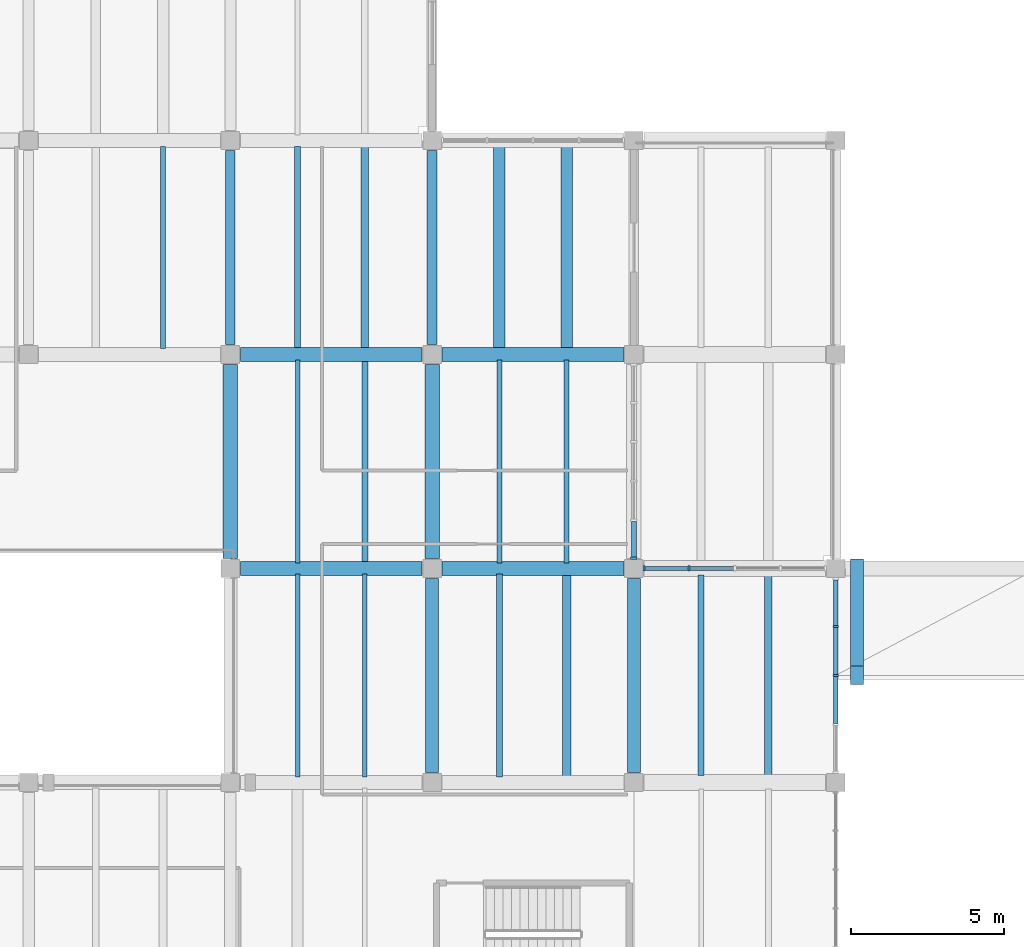
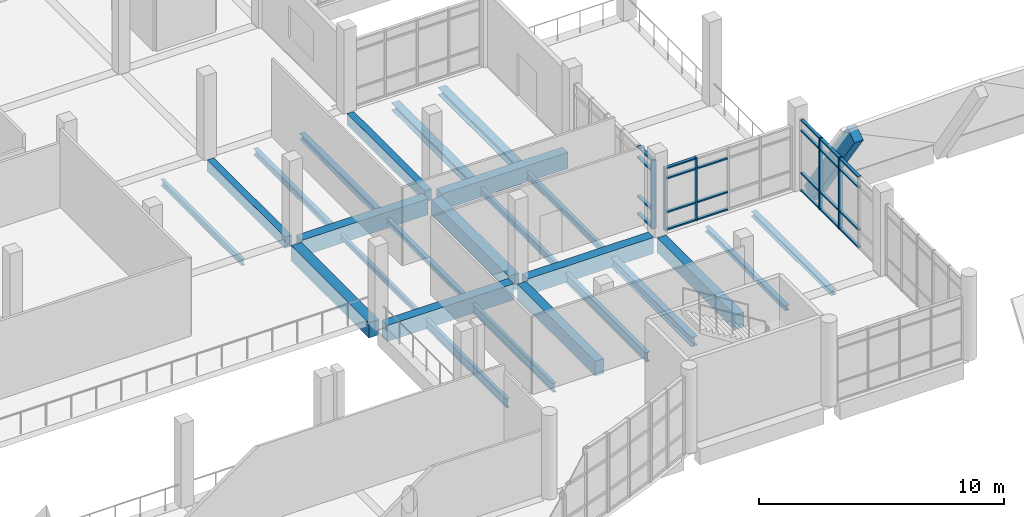
# One storey, part 15 of 67: 28 members, 26 beams, 3 elements without a shape of their own.
"""IFC4 building model written with IfcOpenShell, lengths in metres."""

from ifc_helpers import new_model, si_unit, direction, frame, origin, origin_2d, place, context, subcontext, project, spatial, rectangle, i_section, extrude, material, material_profile, profile_set, type_object, element, aggregate, save


model = new_model("IFC4")

# Units and contexts
model_context = context("Model", 3, precision=1e-05, world=origin(), true_north=direction((0.0, 1.0)))
body_context = subcontext(model_context, "Body", "Model", "MODEL_VIEW")
ifc_project = project(units=[si_unit("LENGTHUNIT", "METRE"), si_unit("AREAUNIT", "SQUARE_METRE"), si_unit("VOLUMEUNIT", "CUBIC_METRE"), si_unit("PLANEANGLEUNIT", "RADIAN"), si_unit("MASSUNIT", "GRAM", prefix="KILO")], contexts=[model_context])

# Site, building, storey
site_placement = place(None, origin())
site = spatial("IfcSite", under=ifc_project, at=site_placement, CompositionType="ELEMENT")
building_placement = place(site_placement, origin())
building = spatial("IfcBuilding", under=site, at=building_placement, Name="Ciguamira Faculty of Natural Sciences", CompositionType="ELEMENT")
storey_placement = place(building_placement, frame((0.0, 0.0, 8.39990234375)))
storey = spatial("IfcBuildingStorey", under=building, at=storey_placement, Name="L02", CompositionType="ELEMENT", Elevation=8.39990234375)

# Curtain wall, members
ifc_material_1 = material(Name="Anodized aluminium curtain wall", Category="aluminium")
curtain_wall_type_1 = type_object("IfcCurtainWallType", Name="CurtainWall_CW-11", PredefinedType="USERDEFINED", material=ifc_material_1)
curtain_wall_1_placement = place(storey_placement, origin())
curtain_wall_1 = element("IfcCurtainWall", 1, at=curtain_wall_1_placement, inside=storey, type_object=curtain_wall_type_1, Name="L02 unitised curtain wall 0059", ObjectType="UNITISED CURTAIN WALL", PredefinedType="USERDEFINED")
ifc_material_2 = material(Name="Anodized aluminium mullion", Category="aluminium")
ifc_material_profile_1 = material_profile(ifc_material_2, rectangle(XDim=0.070068359375, YDim=0.179931640625, at=origin_2d()), Name="ALU-MUL-70X180")
ifc_profile_set_1 = profile_set([ifc_material_profile_1], Name="Anodized aluminium mullion")
member_type_1 = type_object("IfcMemberType", Name="CWMullion_CWM-02", PredefinedType="MULLION", material=ifc_profile_set_1)
member_1_placement = place(storey_placement, frame((117.034912109375, 24.0, 0.0), z_axis=(0.0, 0.0, 1.0), x_axis=(1.0, 0.0, 0.0)))
member_1 = element("IfcMember", 2, at=member_1_placement, type_object=member_type_1, Name="CW-11 mullion 1", PredefinedType="MULLION", context=body_context, shape_type="SweptSolid", body=[
    extrude(rectangle(XDim=0.070068359375, YDim=0.179931640625, at=origin_2d()), origin(), (0.0, 0.0, 1.0), 3.135009765625),
])
member_2_placement = place(storey_placement, frame((118.5, 24.0, 0.0), z_axis=(0.0, 0.0, 1.0), x_axis=(1.0, 0.0, 0.0)))
member_2 = element("IfcMember", 3, at=member_2_placement, type_object=member_type_1, Name="CW-11 mullion 2", PredefinedType="MULLION", context=body_context, shape_type="SweptSolid", body=[
    extrude(rectangle(XDim=0.070068359375, YDim=0.179931640625, at=origin_2d()), origin(), (0.0, 0.0, 1.0), 3.135009765625),
])

curtain_wall_type_2 = type_object("IfcCurtainWallType", Name="CurtainWall_CW-08", PredefinedType="USERDEFINED", material=ifc_material_1)
curtain_wall_2_placement = place(storey_placement, origin())
curtain_wall_2 = element("IfcCurtainWall", 4, at=curtain_wall_2_placement, inside=storey, type_object=curtain_wall_type_2, Name="L02 unitised curtain wall 0080", ObjectType="UNITISED CURTAIN WALL", PredefinedType="USERDEFINED")
member_3_placement = place(storey_placement, frame((123.300048828125, 20.5, 0.0), z_axis=(0.0, 0.0, 1.0), x_axis=(0.0, 1.0, 0.0)))
member_3 = element("IfcMember", 5, at=member_3_placement, type_object=member_type_1, Name="CW-08 mullion 3", PredefinedType="MULLION", context=body_context, shape_type="SweptSolid", body=[
    extrude(rectangle(XDim=0.070068359375, YDim=0.179931640625, at=origin_2d()), origin(), (0.0, 0.0, 1.0), 3.565185546875),
])
member_4_placement = place(storey_placement, frame((123.300048828125, 22.10009765625, 0.0), z_axis=(0.0, 0.0, 1.0), x_axis=(0.0, 1.0, 0.0)))
member_4 = element("IfcMember", 6, at=member_4_placement, type_object=member_type_1, Name="CW-08 mullion 4", PredefinedType="MULLION", context=body_context, shape_type="SweptSolid", body=[
    extrude(rectangle(XDim=0.070068359375, YDim=0.179931640625, at=origin_2d()), origin(), (0.0, 0.0, 1.0), 3.565185546875),
])

# Curtain wall, member
curtain_wall_type_3 = type_object("IfcCurtainWallType", Name="CurtainWall_CW-06", PredefinedType="USERDEFINED", material=ifc_material_1)
curtain_wall_3_placement = place(storey_placement, origin())
curtain_wall_3 = element("IfcCurtainWall", 7, at=curtain_wall_3_placement, inside=storey, type_object=curtain_wall_type_3, Name="L02 unitised curtain wall 0078", ObjectType="UNITISED CURTAIN WALL", PredefinedType="USERDEFINED")
ifc_material_profile_2 = material_profile(ifc_material_2, rectangle(XDim=0.080078125, YDim=0.219970703125, at=origin_2d()), Name="ALU-MUL-80X220")
ifc_profile_set_2 = profile_set([ifc_material_profile_2], Name="Anodized aluminium mullion")
member_type_2 = type_object("IfcMemberType", Name="CWMullion_CWM-03", PredefinedType="MULLION", material=ifc_profile_set_2)
member_5_placement = place(storey_placement, frame((116.699951171875, 24.340087890625, 0.0), z_axis=(0.0, 0.0, 1.0), x_axis=(0.0, 1.0, 0.0)))
member_5 = element("IfcMember", 8, at=member_5_placement, type_object=member_type_2, Name="CW-06 mullion 1", PredefinedType="MULLION", context=body_context, shape_type="SweptSolid", body=[
    extrude(rectangle(XDim=0.080078125, YDim=0.219970703125, at=origin_2d()), origin(), (0.0, 0.0, 1.0), 3.405029296875),
])

# Member
ifc_material_3 = material(Name="Anodized aluminium transom", Category="aluminium")
ifc_material_profile_3 = material_profile(ifc_material_3, rectangle(XDim=0.070068359375, YDim=0.139892578125, at=origin_2d()), Name="ALU-TRN-70X140")
ifc_profile_set_3 = profile_set([ifc_material_profile_3], Name="Anodized aluminium transom")
member_type_3 = type_object("IfcMemberType", Name="CWTransom_CWT-02", PredefinedType="USERDEFINED", material=ifc_profile_set_3)
member_6_placement = place(storey_placement, frame((117.070068359375, 24.0, 0.03515625), z_axis=(1.0, 0.0, 0.0), x_axis=(0.0, 0.0, 1.0)))
member_6 = element("IfcMember", 9, at=member_6_placement, type_object=member_type_3, Name="CW-11 transom 1.1", ObjectType="TRANSOM", PredefinedType="USERDEFINED", context=body_context, shape_type="SweptSolid", body=[
    extrude(rectangle(XDim=0.070068359375, YDim=0.139892578125, at=origin_2d()), origin(), (0.0, 0.0, 1.0), 1.39501953125),
])

member_7_placement = place(storey_placement, frame((117.070068359375, 24.0, 0.900146484375), z_axis=(1.0, 0.0, 0.0), x_axis=(0.0, 0.0, 1.0)))
member_7 = element("IfcMember", 10, at=member_7_placement, type_object=member_type_3, Name="CW-11 transom 1.2", ObjectType="TRANSOM", PredefinedType="USERDEFINED", context=body_context, shape_type="SweptSolid", body=[
    extrude(rectangle(XDim=0.070068359375, YDim=0.139892578125, at=origin_2d()), origin(), (0.0, 0.0, 1.0), 1.39501953125),
])

member_8_placement = place(storey_placement, frame((117.070068359375, 24.0, 2.585205078125), z_axis=(1.0, 0.0, 0.0), x_axis=(0.0, 0.0, 1.0)))
member_8 = element("IfcMember", 11, at=member_8_placement, type_object=member_type_3, Name="CW-11 transom 1.3", ObjectType="TRANSOM", PredefinedType="USERDEFINED", context=body_context, shape_type="SweptSolid", body=[
    extrude(rectangle(XDim=0.070068359375, YDim=0.139892578125, at=origin_2d()), origin(), (0.0, 0.0, 1.0), 1.39501953125),
])

member_9_placement = place(storey_placement, frame((117.070068359375, 24.0, 3.10009765625), z_axis=(1.0, 0.0, 0.0), x_axis=(0.0, 0.0, 1.0)))
member_9 = element("IfcMember", 12, at=member_9_placement, type_object=member_type_3, Name="CW-11 transom 1.4", ObjectType="TRANSOM", PredefinedType="USERDEFINED", context=body_context, shape_type="SweptSolid", body=[
    extrude(rectangle(XDim=0.070068359375, YDim=0.139892578125, at=origin_2d()), origin(), (0.0, 0.0, 1.0), 1.39501953125),
])

member_10_placement = place(storey_placement, frame((118.534912109375, 24.0, 0.03515625), z_axis=(1.0, 0.0, 0.0), x_axis=(0.0, 0.0, 1.0)))
member_10 = element("IfcMember", 13, at=member_10_placement, type_object=member_type_3, Name="CW-11 transom 2.1", ObjectType="TRANSOM", PredefinedType="USERDEFINED", context=body_context, shape_type="SweptSolid", body=[
    extrude(rectangle(XDim=0.070068359375, YDim=0.139892578125, at=origin_2d()), origin(), (0.0, 0.0, 1.0), 1.43017578125),
])

member_11_placement = place(storey_placement, frame((118.534912109375, 24.0, 0.900146484375), z_axis=(1.0, 0.0, 0.0), x_axis=(0.0, 0.0, 1.0)))
member_11 = element("IfcMember", 14, at=member_11_placement, type_object=member_type_3, Name="CW-11 transom 2.2", ObjectType="TRANSOM", PredefinedType="USERDEFINED", context=body_context, shape_type="SweptSolid", body=[
    extrude(rectangle(XDim=0.070068359375, YDim=0.139892578125, at=origin_2d()), origin(), (0.0, 0.0, 1.0), 1.43017578125),
])

member_12_placement = place(storey_placement, frame((118.534912109375, 24.0, 2.585205078125), z_axis=(1.0, 0.0, 0.0), x_axis=(0.0, 0.0, 1.0)))
member_12 = element("IfcMember", 15, at=member_12_placement, type_object=member_type_3, Name="CW-11 transom 2.3", ObjectType="TRANSOM", PredefinedType="USERDEFINED", context=body_context, shape_type="SweptSolid", body=[
    extrude(rectangle(XDim=0.070068359375, YDim=0.139892578125, at=origin_2d()), origin(), (0.0, 0.0, 1.0), 1.43017578125),
])

aggregate(curtain_wall_1, [member_1, member_2, member_6, member_7, member_8, member_9, member_10, member_11, member_12])

member_13_placement = place(storey_placement, frame((123.300048828125, 18.93505859375, 0.03515625), z_axis=(0.0, 1.0, 0.0), x_axis=(0.0, 0.0, 1.0)))
member_13 = element("IfcMember", 16, at=member_13_placement, type_object=member_type_3, Name="CW-08 transom 2.1", ObjectType="TRANSOM", PredefinedType="USERDEFINED", context=body_context, shape_type="SweptSolid", body=[
    extrude(rectangle(XDim=0.070068359375, YDim=0.139892578125, at=origin_2d()), origin(), (0.0, 0.0, 1.0), 1.530029296875),
])

member_14_placement = place(storey_placement, frame((123.300048828125, 18.93505859375, 0.900146484375), z_axis=(0.0, 1.0, 0.0), x_axis=(0.0, 0.0, 1.0)))
member_14 = element("IfcMember", 17, at=member_14_placement, type_object=member_type_3, Name="CW-08 transom 2.2", ObjectType="TRANSOM", PredefinedType="USERDEFINED", context=body_context, shape_type="SweptSolid", body=[
    extrude(rectangle(XDim=0.070068359375, YDim=0.139892578125, at=origin_2d()), origin(), (0.0, 0.0, 1.0), 1.530029296875),
])

member_15_placement = place(storey_placement, frame((123.300048828125, 18.93505859375, 3.01513671875), z_axis=(0.0, 1.0, 0.0), x_axis=(0.0, 0.0, 1.0)))
member_15 = element("IfcMember", 18, at=member_15_placement, type_object=member_type_3, Name="CW-08 transom 2.3", ObjectType="TRANSOM", PredefinedType="USERDEFINED", context=body_context, shape_type="SweptSolid", body=[
    extrude(rectangle(XDim=0.070068359375, YDim=0.139892578125, at=origin_2d()), origin(), (0.0, 0.0, 1.0), 1.530029296875),
])

member_16_placement = place(storey_placement, frame((123.300048828125, 18.93505859375, 3.530029296875), z_axis=(0.0, 1.0, 0.0), x_axis=(0.0, 0.0, 1.0)))
member_16 = element("IfcMember", 19, at=member_16_placement, type_object=member_type_3, Name="CW-08 transom 2.4", ObjectType="TRANSOM", PredefinedType="USERDEFINED", context=body_context, shape_type="SweptSolid", body=[
    extrude(rectangle(XDim=0.070068359375, YDim=0.139892578125, at=origin_2d()), origin(), (0.0, 0.0, 1.0), 1.530029296875),
])

member_17_placement = place(storey_placement, frame((123.300048828125, 20.534912109375, 0.03515625), z_axis=(0.0, 1.0, 0.0), x_axis=(0.0, 0.0, 1.0)))
member_17 = element("IfcMember", 20, at=member_17_placement, type_object=member_type_3, Name="CW-08 transom 3.1", ObjectType="TRANSOM", PredefinedType="USERDEFINED", context=body_context, shape_type="SweptSolid", body=[
    extrude(rectangle(XDim=0.070068359375, YDim=0.139892578125, at=origin_2d()), origin(), (0.0, 0.0, 1.0), 1.530029296875),
])

member_18_placement = place(storey_placement, frame((123.300048828125, 20.534912109375, 0.900146484375), z_axis=(0.0, 1.0, 0.0), x_axis=(0.0, 0.0, 1.0)))
member_18 = element("IfcMember", 21, at=member_18_placement, type_object=member_type_3, Name="CW-08 transom 3.2", ObjectType="TRANSOM", PredefinedType="USERDEFINED", context=body_context, shape_type="SweptSolid", body=[
    extrude(rectangle(XDim=0.070068359375, YDim=0.139892578125, at=origin_2d()), origin(), (0.0, 0.0, 1.0), 1.530029296875),
])

member_19_placement = place(storey_placement, frame((123.300048828125, 20.534912109375, 3.01513671875), z_axis=(0.0, 1.0, 0.0), x_axis=(0.0, 0.0, 1.0)))
member_19 = element("IfcMember", 22, at=member_19_placement, type_object=member_type_3, Name="CW-08 transom 3.3", ObjectType="TRANSOM", PredefinedType="USERDEFINED", context=body_context, shape_type="SweptSolid", body=[
    extrude(rectangle(XDim=0.070068359375, YDim=0.139892578125, at=origin_2d()), origin(), (0.0, 0.0, 1.0), 1.530029296875),
])

member_20_placement = place(storey_placement, frame((123.300048828125, 20.534912109375, 3.530029296875), z_axis=(0.0, 1.0, 0.0), x_axis=(0.0, 0.0, 1.0)))
member_20 = element("IfcMember", 23, at=member_20_placement, type_object=member_type_3, Name="CW-08 transom 3.4", ObjectType="TRANSOM", PredefinedType="USERDEFINED", context=body_context, shape_type="SweptSolid", body=[
    extrude(rectangle(XDim=0.070068359375, YDim=0.139892578125, at=origin_2d()), origin(), (0.0, 0.0, 1.0), 1.530029296875),
])

member_21_placement = place(storey_placement, frame((123.300048828125, 22.135009765625, 0.03515625), z_axis=(0.0, 1.0, 0.0), x_axis=(0.0, 0.0, 1.0)))
member_21 = element("IfcMember", 24, at=member_21_placement, type_object=member_type_3, Name="CW-08 transom 4.1", ObjectType="TRANSOM", PredefinedType="USERDEFINED", context=body_context, shape_type="SweptSolid", body=[
    extrude(rectangle(XDim=0.070068359375, YDim=0.139892578125, at=origin_2d()), origin(), (0.0, 0.0, 1.0), 1.494873046875),
])

member_22_placement = place(storey_placement, frame((123.300048828125, 22.135009765625, 0.900146484375), z_axis=(0.0, 1.0, 0.0), x_axis=(0.0, 0.0, 1.0)))
member_22 = element("IfcMember", 25, at=member_22_placement, type_object=member_type_3, Name="CW-08 transom 4.2", ObjectType="TRANSOM", PredefinedType="USERDEFINED", context=body_context, shape_type="SweptSolid", body=[
    extrude(rectangle(XDim=0.070068359375, YDim=0.139892578125, at=origin_2d()), origin(), (0.0, 0.0, 1.0), 1.494873046875),
])

member_23_placement = place(storey_placement, frame((123.300048828125, 22.135009765625, 3.01513671875), z_axis=(0.0, 1.0, 0.0), x_axis=(0.0, 0.0, 1.0)))
member_23 = element("IfcMember", 26, at=member_23_placement, type_object=member_type_3, Name="CW-08 transom 4.3", ObjectType="TRANSOM", PredefinedType="USERDEFINED", context=body_context, shape_type="SweptSolid", body=[
    extrude(rectangle(XDim=0.070068359375, YDim=0.139892578125, at=origin_2d()), origin(), (0.0, 0.0, 1.0), 1.494873046875),
])

member_24_placement = place(storey_placement, frame((123.300048828125, 22.135009765625, 3.530029296875), z_axis=(0.0, 1.0, 0.0), x_axis=(0.0, 0.0, 1.0)))
member_24 = element("IfcMember", 27, at=member_24_placement, type_object=member_type_3, Name="CW-08 transom 4.4", ObjectType="TRANSOM", PredefinedType="USERDEFINED", context=body_context, shape_type="SweptSolid", body=[
    extrude(rectangle(XDim=0.070068359375, YDim=0.139892578125, at=origin_2d()), origin(), (0.0, 0.0, 1.0), 1.494873046875),
])

aggregate(curtain_wall_2, [member_3, member_4, member_13, member_14, member_15, member_16, member_17, member_18, member_19, member_20, member_21, member_22, member_23, member_24])

ifc_material_profile_4 = material_profile(ifc_material_3, rectangle(XDim=0.080078125, YDim=0.159912109375, at=origin_2d()), Name="ALU-TRN-80X160")
ifc_profile_set_4 = profile_set([ifc_material_profile_4], Name="Anodized aluminium transom")
member_type_4 = type_object("IfcMemberType", Name="CWTransom_CWT-03", PredefinedType="USERDEFINED", material=ifc_profile_set_4)
member_25_placement = place(storey_placement, frame((116.699951171875, 24.3798828125, 0.0400390625), z_axis=(0.0, 1.0, 0.0), x_axis=(0.0, 0.0, 1.0)))
member_25 = element("IfcMember", 28, at=member_25_placement, type_object=member_type_4, Name="CW-06 transom 1.1", ObjectType="TRANSOM", PredefinedType="USERDEFINED", context=body_context, shape_type="SweptSolid", body=[
    extrude(rectangle(XDim=0.080078125, YDim=0.159912109375, at=origin_2d()), origin(), (0.0, 0.0, 1.0), 1.16015625),
])

member_26_placement = place(storey_placement, frame((116.699951171875, 24.3798828125, 0.900146484375), z_axis=(0.0, 1.0, 0.0), x_axis=(0.0, 0.0, 1.0)))
member_26 = element("IfcMember", 29, at=member_26_placement, type_object=member_type_4, Name="CW-06 transom 1.2", ObjectType="TRANSOM", PredefinedType="USERDEFINED", context=body_context, shape_type="SweptSolid", body=[
    extrude(rectangle(XDim=0.080078125, YDim=0.159912109375, at=origin_2d()), origin(), (0.0, 0.0, 1.0), 1.16015625),
])

member_27_placement = place(storey_placement, frame((116.699951171875, 24.3798828125, 2.85498046875), z_axis=(0.0, 1.0, 0.0), x_axis=(0.0, 0.0, 1.0)))
member_27 = element("IfcMember", 30, at=member_27_placement, type_object=member_type_4, Name="CW-06 transom 1.3", ObjectType="TRANSOM", PredefinedType="USERDEFINED", context=body_context, shape_type="SweptSolid", body=[
    extrude(rectangle(XDim=0.080078125, YDim=0.159912109375, at=origin_2d()), origin(), (0.0, 0.0, 1.0), 1.16015625),
])

member_28_placement = place(storey_placement, frame((116.699951171875, 24.3798828125, 3.364990234375), z_axis=(0.0, 1.0, 0.0), x_axis=(0.0, 0.0, 1.0)))
member_28 = element("IfcMember", 31, at=member_28_placement, type_object=member_type_4, Name="CW-06 transom 1.4", ObjectType="TRANSOM", PredefinedType="USERDEFINED", context=body_context, shape_type="SweptSolid", body=[
    extrude(rectangle(XDim=0.080078125, YDim=0.159912109375, at=origin_2d()), origin(), (0.0, 0.0, 1.0), 1.16015625),
])

aggregate(curtain_wall_3, [member_5, member_25, member_26, member_27, member_28])

# Beams
ifc_material_4 = material(Name="Concrete C40/50", Category="concrete")
ifc_material_profile_5 = material_profile(ifc_material_4, rectangle(XDim=0.449951171875, YDim=0.800048828125, at=origin_2d()), Name="RC-BM-450X800")
ifc_profile_set_5 = profile_set([ifc_material_profile_5], Name="Concrete C40/50")
beam_type_1 = type_object("IfcBeamType", Name="RCBeam_BG-05_RC-BM-450X800", PredefinedType="BEAM", material=ifc_profile_set_5)
for number, where, z_axis, x_axis, name in (
    (32, (103.824951171875, 24.0, -0.39990234375), (1.0, 0.0, 0.0), (0.0, 1.0, 0.0), "L02 RC girder EW-0758"),
    (33, (110.425048828125, 24.0, -0.39990234375), (1.0, 0.0, 0.0), (0.0, 1.0, 0.0), "L02 RC girder EW-0759"),
    (34, (103.824951171875, 31.0, -0.39990234375), (1.0, 0.0, 0.0), (0.0, 1.0, 0.0), "L02 RC girder EW-0769"),
    (35, (110.425048828125, 31.0, -0.39990234375), (1.0, 0.0, 0.0), (0.0, 1.0, 0.0), "L02 RC girder EW-0770"),
):
    element("IfcBeam", number, at=place(storey_placement, frame(where, z_axis=z_axis, x_axis=x_axis)), inside=storey, type_object=beam_type_1, Name=name, PredefinedType="BEAM", context=body_context, shape_type="SweptSolid", body=[
        extrude(rectangle(XDim=0.449951171875, YDim=0.800048828125, at=origin_2d()), origin(), (0.0, 0.0, 1.0), 5.949951171875),
    ])
ifc_material_profile_6 = material_profile(ifc_material_4, rectangle(XDim=0.419921875, YDim=0.739990234375, at=origin_2d()), Name="RC-BM-420X740")
ifc_profile_set_6 = profile_set([ifc_material_profile_6], Name="Concrete C40/50")
beam_type_2 = type_object("IfcBeamType", Name="RCBeam_BG-07_RC-BM-420X740", PredefinedType="BEAM", material=ifc_profile_set_6)
for number, where, z_axis, x_axis, name in (
    (36, (110.10009765625, 17.324951171875, -0.369873046875), (0.0, 1.0, 0.0), (-1.0, 0.0, 0.0), "L02 girder NS-0986"),
    (37, (116.699951171875, 17.324951171875, -0.369873046875), (0.0, 1.0, 0.0), (-1.0, 0.0, 0.0), "L02 girder NS-0999"),
):
    element("IfcBeam", number, at=place(storey_placement, frame(where, z_axis=z_axis, x_axis=x_axis)), inside=storey, type_object=beam_type_2, Name=name, PredefinedType="BEAM", context=body_context, shape_type="SweptSolid", body=[
        extrude(rectangle(XDim=0.419921875, YDim=0.739990234375, at=origin_2d()), origin(), (0.0, 0.0, 1.0), 6.35009765625),
    ])
beam_1_placement = place(storey_placement, frame((124.0, 20.5, 4.500732421875), z_axis=(0.0, 0.571120514103, -0.820866224406), x_axis=(-1.0, 0.0, 0.0)))
element("IfcBeam", 38, at=beam_1_placement, inside=storey, type_object=beam_type_2, Name="V1 shell RC arch rib 01-06", PredefinedType="BEAM", context=body_context, shape_type="SweptSolid", body=[
    extrude(rectangle(XDim=0.419921875, YDim=0.739990234375, at=origin_2d()), origin(), (0.0, 0.0, 1.0), 6.12841796875),
])
ifc_material_profile_7 = material_profile(ifc_material_4, rectangle(XDim=0.320068359375, YDim=0.56005859375, at=origin_2d()), Name="RC-BM-320X560")
ifc_profile_set_7 = profile_set([ifc_material_profile_7], Name="Concrete C40/50")
beam_type_3 = type_object("IfcBeamType", Name="RCBeam_BG-12_RC-BM-320X560", PredefinedType="BEAM", material=ifc_profile_set_7)
for number, where, z_axis, x_axis, name in (
    (39, (103.5, 31.324951171875, -0.27978515625), (0.0, 1.0, 0.0), (-1.0, 0.0, 0.0), "L02 girder NS-0978"),
    (40, (110.10009765625, 31.324951171875, -0.27978515625), (0.0, 1.0, 0.0), (-1.0, 0.0, 0.0), "L02 girder NS-0988"),
):
    element("IfcBeam", number, at=place(storey_placement, frame(where, z_axis=z_axis, x_axis=x_axis)), inside=storey, type_object=beam_type_3, Name=name, PredefinedType="BEAM", context=body_context, shape_type="SweptSolid", body=[
        extrude(rectangle(XDim=0.320068359375, YDim=0.56005859375, at=origin_2d()), origin(), (0.0, 0.0, 1.0), 6.35009765625),
    ])
ifc_material_profile_8 = material_profile(ifc_material_4, rectangle(XDim=0.47998046875, YDim=0.760009765625, at=origin_2d()), Name="RC-TB-480X760")
ifc_profile_set_8 = profile_set([ifc_material_profile_8], Name="Concrete C40/50")
beam_type_4 = type_object("IfcBeamType", Name="RCBeam_TB-01_RC-TB-480X760", PredefinedType="T_BEAM", material=ifc_profile_set_8)
for number, where, z_axis, x_axis, name in (
    (41, (103.5, 24.324951171875, -0.3798828125), (0.0, 1.0, 0.0), (-1.0, 0.0, 0.0), "L02 girder NS-0977"),
    (42, (110.10009765625, 24.324951171875, -0.3798828125), (0.0, 1.0, 0.0), (-1.0, 0.0, 0.0), "L02 girder NS-0987"),
):
    element("IfcBeam", number, at=place(storey_placement, frame(where, z_axis=z_axis, x_axis=x_axis)), inside=storey, type_object=beam_type_4, Name=name, PredefinedType="T_BEAM", context=body_context, shape_type="SweptSolid", body=[
        extrude(rectangle(XDim=0.47998046875, YDim=0.760009765625, at=origin_2d()), origin(), (0.0, 0.0, 1.0), 6.35009765625),
    ])
ifc_material_5 = material(Name="Steel ASTM A992 Grade 50", Category="steel")
ifc_material_profile_9 = material_profile(ifc_material_5, i_section(OverallWidth=0.14599609375, OverallDepth=0.259033203125, WebThickness=0.006103515625, FlangeThickness=0.009033203125, at=origin_2d()), Name="W10X22")
ifc_profile_set_9 = profile_set([ifc_material_profile_9], Name="Steel ASTM A992 Grade 50")
beam_type_5 = type_object("IfcBeamType", Name="SteelJoist_SJ-01_W10X22", PredefinedType="JOIST", material=ifc_profile_set_9)
beam_2_placement = place(storey_placement, frame((105.699951171875, 24.18505859375, -0.429443359375), z_axis=(0.0, 1.0, 0.0), x_axis=(-1.0, 0.0, 0.0)))
element("IfcBeam", 43, at=beam_2_placement, inside=storey, type_object=beam_type_5, Name="L02 composite steel joist 00896", PredefinedType="JOIST", context=body_context, shape_type="SweptSolid", body=[
    extrude(i_section(OverallWidth=0.14599609375, OverallDepth=0.259033203125, WebThickness=0.006103515625, FlangeThickness=0.009033203125, at=origin_2d()), origin(), (0.0, 0.0, 1.0), 6.6298828125),
])
ifc_material_profile_10 = material_profile(ifc_material_5, i_section(OverallWidth=0.2021484375, OverallDepth=0.2470703125, WebThickness=0.00732421875, FlangeThickness=0.010986328125, at=origin_2d()), Name="W10X33")
ifc_profile_set_10 = profile_set([ifc_material_profile_10], Name="Steel ASTM A992 Grade 50")
beam_type_6 = type_object("IfcBeamType", Name="SteelJoist_SJ-02_W10X33", PredefinedType="JOIST", material=ifc_profile_set_10)
beam_3_placement = place(storey_placement, frame((107.89990234375, 24.18505859375, -0.423583984375), z_axis=(0.0, 1.0, 0.0), x_axis=(-1.0, 0.0, 0.0)))
element("IfcBeam", 44, at=beam_3_placement, inside=storey, type_object=beam_type_6, Name="L02 composite steel joist 00897", PredefinedType="JOIST", context=body_context, shape_type="SweptSolid", body=[
    extrude(i_section(OverallWidth=0.2021484375, OverallDepth=0.2470703125, WebThickness=0.00732421875, FlangeThickness=0.010986328125, at=origin_2d()), origin(), (0.0, 0.0, 1.0), 6.6298828125),
])
beam_4_placement = place(storey_placement, frame((118.89990234375, 17.219970703125, -0.423583984375), z_axis=(0.0, 1.0, 0.0), x_axis=(-1.0, 0.0, 0.0)))
element("IfcBeam", 45, at=beam_4_placement, inside=storey, type_object=beam_type_6, Name="L02 composite steel joist 00951", PredefinedType="JOIST", context=body_context, shape_type="SweptSolid", body=[
    extrude(i_section(OverallWidth=0.2021484375, OverallDepth=0.2470703125, WebThickness=0.00732421875, FlangeThickness=0.010986328125, at=origin_2d()), origin(), (0.0, 0.0, 1.0), 6.56005859375),
])
ifc_material_profile_11 = material_profile(ifc_material_5, i_section(OverallWidth=0.25390625, OverallDepth=0.25390625, WebThickness=0.008544921875, FlangeThickness=0.01416015625, at=origin_2d()), Name="W10X49")
ifc_profile_set_11 = profile_set([ifc_material_profile_11], Name="Steel ASTM A992 Grade 50")
beam_type_7 = type_object("IfcBeamType", Name="SteelJoist_SJ-03_W10X49", PredefinedType="JOIST", material=ifc_profile_set_11)
beam_5_placement = place(storey_placement, frame((121.10009765625, 17.219970703125, -0.427001953125), z_axis=(0.0, 1.0, 0.0), x_axis=(-1.0, 0.0, 0.0)))
element("IfcBeam", 46, at=beam_5_placement, inside=storey, type_object=beam_type_7, Name="L02 composite steel joist 00952", PredefinedType="JOIST", context=body_context, shape_type="SweptSolid", body=[
    extrude(i_section(OverallWidth=0.25390625, OverallDepth=0.25390625, WebThickness=0.008544921875, FlangeThickness=0.01416015625, at=origin_2d()), origin(), (0.0, 0.0, 1.0), 6.56005859375),
])
ifc_material_profile_12 = material_profile(ifc_material_5, i_section(OverallWidth=0.164794921875, OverallDepth=0.309814453125, WebThickness=0.005859375, FlangeThickness=0.009765625, at=origin_2d()), Name="W12X26")
ifc_profile_set_12 = profile_set([ifc_material_profile_12], Name="Steel ASTM A992 Grade 50")
beam_type_8 = type_object("IfcBeamType", Name="SteelJoist_SJ-04_W12X26", PredefinedType="JOIST", material=ifc_profile_set_12)
beam_6_placement = place(storey_placement, frame((101.300048828125, 31.18994140625, -0.454833984375), z_axis=(0.0, 1.0, 0.0), x_axis=(-1.0, 0.0, 0.0)))
element("IfcBeam", 47, at=beam_6_placement, inside=storey, type_object=beam_type_8, Name="L02 composite steel joist 00870", PredefinedType="JOIST", context=body_context, shape_type="SweptSolid", body=[
    extrude(i_section(OverallWidth=0.164794921875, OverallDepth=0.309814453125, WebThickness=0.005859375, FlangeThickness=0.009765625, at=origin_2d()), origin(), (0.0, 0.0, 1.0), 6.6201171875),
])
beam_7_placement = place(storey_placement, frame((112.300048828125, 24.18505859375, -0.454833984375), z_axis=(0.0, 1.0, 0.0), x_axis=(-1.0, 0.0, 0.0)))
element("IfcBeam", 48, at=beam_7_placement, inside=storey, type_object=beam_type_8, Name="L02 composite steel joist 00921", PredefinedType="JOIST", context=body_context, shape_type="SweptSolid", body=[
    extrude(i_section(OverallWidth=0.164794921875, OverallDepth=0.309814453125, WebThickness=0.005859375, FlangeThickness=0.009765625, at=origin_2d()), origin(), (0.0, 0.0, 1.0), 6.6298828125),
])
ifc_material_profile_13 = material_profile(ifc_material_5, i_section(OverallWidth=0.16650390625, OverallDepth=0.3173828125, WebThickness=0.007568359375, FlangeThickness=0.01318359375, at=origin_2d()), Name="W12X35")
ifc_profile_set_13 = profile_set([ifc_material_profile_13], Name="Steel ASTM A992 Grade 50")
beam_type_9 = type_object("IfcBeamType", Name="SteelJoist_SJ-05_W12X35", PredefinedType="JOIST", material=ifc_profile_set_13)
beam_8_placement = place(storey_placement, frame((114.5, 24.18505859375, -0.458740234375), z_axis=(0.0, 1.0, 0.0), x_axis=(-1.0, 0.0, 0.0)))
element("IfcBeam", 49, at=beam_8_placement, inside=storey, type_object=beam_type_9, Name="L02 composite steel joist 00922", PredefinedType="JOIST", context=body_context, shape_type="SweptSolid", body=[
    extrude(i_section(OverallWidth=0.16650390625, OverallDepth=0.3173828125, WebThickness=0.007568359375, FlangeThickness=0.01318359375, at=origin_2d()), origin(), (0.0, 0.0, 1.0), 6.6298828125),
])
ifc_material_profile_14 = material_profile(ifc_material_5, i_section(OverallWidth=0.20458984375, OverallDepth=0.307373046875, WebThickness=0.008544921875, FlangeThickness=0.0146484375, at=origin_2d()), Name="W12X45")
ifc_profile_set_14 = profile_set([ifc_material_profile_14], Name="Steel ASTM A992 Grade 50")
beam_type_10 = type_object("IfcBeamType", Name="SteelJoist_SJ-06_W12X45", PredefinedType="JOIST", material=ifc_profile_set_14)
beam_9_placement = place(storey_placement, frame((105.699951171875, 31.18505859375, -0.45361328125), z_axis=(0.0, 1.0, 0.0), x_axis=(-1.0, 0.0, 0.0)))
element("IfcBeam", 50, at=beam_9_placement, inside=storey, type_object=beam_type_10, Name="L02 composite steel joist 00898", PredefinedType="JOIST", context=body_context, shape_type="SweptSolid", body=[
    extrude(i_section(OverallWidth=0.20458984375, OverallDepth=0.307373046875, WebThickness=0.008544921875, FlangeThickness=0.0146484375, at=origin_2d()), origin(), (0.0, 0.0, 1.0), 6.6298828125),
])
ifc_material_profile_15 = material_profile(ifc_material_5, i_section(OverallWidth=0.25390625, OverallDepth=0.307373046875, WebThickness=0.0087890625, FlangeThickness=0.0146484375, at=origin_2d()), Name="W12X53")
ifc_profile_set_15 = profile_set([ifc_material_profile_15], Name="Steel ASTM A992 Grade 50")
beam_type_11 = type_object("IfcBeamType", Name="SteelJoist_SJ-07_W12X53", PredefinedType="JOIST", material=ifc_profile_set_15)
beam_10_placement = place(storey_placement, frame((107.89990234375, 31.18505859375, -0.45361328125), z_axis=(0.0, 1.0, 0.0), x_axis=(-1.0, 0.0, 0.0)))
element("IfcBeam", 51, at=beam_10_placement, inside=storey, type_object=beam_type_11, Name="L02 composite steel joist 00899", PredefinedType="JOIST", context=body_context, shape_type="SweptSolid", body=[
    extrude(i_section(OverallWidth=0.25390625, OverallDepth=0.307373046875, WebThickness=0.0087890625, FlangeThickness=0.0146484375, at=origin_2d()), origin(), (0.0, 0.0, 1.0), 6.6298828125),
])
ifc_material_profile_16 = material_profile(ifc_material_5, i_section(OverallWidth=0.370849609375, OverallDepth=0.36328125, WebThickness=0.013427734375, FlangeThickness=0.021728515625, at=origin_2d()), Name="W14X109")
ifc_profile_set_16 = profile_set([ifc_material_profile_16], Name="Steel ASTM A992 Grade 50")
beam_type_12 = type_object("IfcBeamType", Name="SteelJoist_SJ-09_W14X109", PredefinedType="JOIST", material=ifc_profile_set_16)
beam_11_placement = place(storey_placement, frame((112.300048828125, 31.18505859375, -0.4814453125), z_axis=(0.0, 1.0, 0.0), x_axis=(-1.0, 0.0, 0.0)))
element("IfcBeam", 52, at=beam_11_placement, inside=storey, type_object=beam_type_12, Name="L02 composite steel joist 00923", PredefinedType="JOIST", context=body_context, shape_type="SweptSolid", body=[
    extrude(i_section(OverallWidth=0.370849609375, OverallDepth=0.36328125, WebThickness=0.013427734375, FlangeThickness=0.021728515625, at=origin_2d()), origin(), (0.0, 0.0, 1.0), 6.6298828125),
])
ifc_material_profile_17 = material_profile(ifc_material_5, i_section(OverallWidth=0.373291015625, OverallDepth=0.373291015625, WebThickness=0.016357421875, FlangeThickness=0.026123046875, at=origin_2d()), Name="W14X132")
ifc_profile_set_17 = profile_set([ifc_material_profile_17], Name="Steel ASTM A992 Grade 50")
beam_type_13 = type_object("IfcBeamType", Name="SteelJoist_SJ-10_W14X132", PredefinedType="JOIST", material=ifc_profile_set_17)
beam_12_placement = place(storey_placement, frame((114.5, 31.18505859375, -0.486572265625), z_axis=(0.0, 1.0, 0.0), x_axis=(-1.0, 0.0, 0.0)))
element("IfcBeam", 53, at=beam_12_placement, inside=storey, type_object=beam_type_13, Name="L02 composite steel joist 00924", PredefinedType="JOIST", context=body_context, shape_type="SweptSolid", body=[
    extrude(i_section(OverallWidth=0.373291015625, OverallDepth=0.373291015625, WebThickness=0.016357421875, FlangeThickness=0.026123046875, at=origin_2d()), origin(), (0.0, 0.0, 1.0), 6.6298828125),
])
ifc_material_profile_18 = material_profile(ifc_material_5, i_section(OverallWidth=0.15234375, OverallDepth=0.449462890625, WebThickness=0.007568359375, FlangeThickness=0.0107421875, at=origin_2d()), Name="W18X35")
ifc_profile_set_18 = profile_set([ifc_material_profile_18], Name="Steel ASTM A992 Grade 50")
beam_type_14 = type_object("IfcBeamType", Name="SteelJoist_SJ-21_W18X35", PredefinedType="JOIST", material=ifc_profile_set_18)
beam_13_placement = place(storey_placement, frame((105.699951171875, 17.18505859375, -0.524658203125), z_axis=(0.0, 1.0, 0.0), x_axis=(-1.0, 0.0, 0.0)))
element("IfcBeam", 54, at=beam_13_placement, inside=storey, type_object=beam_type_14, Name="L02 composite steel joist 00894", PredefinedType="JOIST", context=body_context, shape_type="SweptSolid", body=[
    extrude(i_section(OverallWidth=0.15234375, OverallDepth=0.449462890625, WebThickness=0.007568359375, FlangeThickness=0.0107421875, at=origin_2d()), origin(), (0.0, 0.0, 1.0), 6.6298828125),
])
ifc_material_profile_19 = material_profile(ifc_material_5, i_section(OverallWidth=0.15283203125, OverallDepth=0.45458984375, WebThickness=0.008056640625, FlangeThickness=0.013427734375, at=origin_2d()), Name="W18X40")
ifc_profile_set_19 = profile_set([ifc_material_profile_19], Name="Steel ASTM A992 Grade 50")
beam_type_15 = type_object("IfcBeamType", Name="SteelJoist_SJ-22_W18X40", PredefinedType="JOIST", material=ifc_profile_set_19)
beam_14_placement = place(storey_placement, frame((107.89990234375, 17.18505859375, -0.527099609375), z_axis=(0.0, 1.0, 0.0), x_axis=(-1.0, 0.0, 0.0)))
element("IfcBeam", 55, at=beam_14_placement, inside=storey, type_object=beam_type_15, Name="L02 composite steel joist 00895", PredefinedType="JOIST", context=body_context, shape_type="SweptSolid", body=[
    extrude(i_section(OverallWidth=0.15283203125, OverallDepth=0.45458984375, WebThickness=0.008056640625, FlangeThickness=0.013427734375, at=origin_2d()), origin(), (0.0, 0.0, 1.0), 6.6298828125),
])
ifc_material_profile_20 = material_profile(ifc_material_5, i_section(OverallWidth=0.19287109375, OverallDepth=0.46728515625, WebThickness=0.011474609375, FlangeThickness=0.01904296875, at=origin_2d()), Name="W18X65")
ifc_profile_set_20 = profile_set([ifc_material_profile_20], Name="Steel ASTM A992 Grade 50")
beam_type_16 = type_object("IfcBeamType", Name="SteelJoist_SJ-24_W18X65", PredefinedType="JOIST", material=ifc_profile_set_20)
beam_15_placement = place(storey_placement, frame((112.300048828125, 17.18505859375, -0.53369140625), z_axis=(0.0, 1.0, 0.0), x_axis=(-1.0, 0.0, 0.0)))
element("IfcBeam", 56, at=beam_15_placement, inside=storey, type_object=beam_type_16, Name="L02 composite steel joist 00919", PredefinedType="JOIST", context=body_context, shape_type="SweptSolid", body=[
    extrude(i_section(OverallWidth=0.19287109375, OverallDepth=0.46728515625, WebThickness=0.011474609375, FlangeThickness=0.01904296875, at=origin_2d()), origin(), (0.0, 0.0, 1.0), 6.6298828125),
])
ifc_material_profile_21 = material_profile(ifc_material_5, i_section(OverallWidth=0.279296875, OverallDepth=0.462158203125, WebThickness=0.0107421875, FlangeThickness=0.017333984375, at=origin_2d()), Name="W18X76")
ifc_profile_set_21 = profile_set([ifc_material_profile_21], Name="Steel ASTM A992 Grade 50")
beam_type_17 = type_object("IfcBeamType", Name="SteelJoist_SJ-25_W18X76", PredefinedType="JOIST", material=ifc_profile_set_21)
beam_16_placement = place(storey_placement, frame((114.5, 17.18505859375, -0.531005859375), z_axis=(0.0, 1.0, 0.0), x_axis=(-1.0, 0.0, 0.0)))
element("IfcBeam", 57, at=beam_16_placement, inside=storey, type_object=beam_type_17, Name="L02 composite steel joist 00920", PredefinedType="JOIST", context=body_context, shape_type="SweptSolid", body=[
    extrude(i_section(OverallWidth=0.279296875, OverallDepth=0.462158203125, WebThickness=0.0107421875, FlangeThickness=0.017333984375, at=origin_2d()), origin(), (0.0, 0.0, 1.0), 6.6298828125),
])

save(model, "model.ifc")
